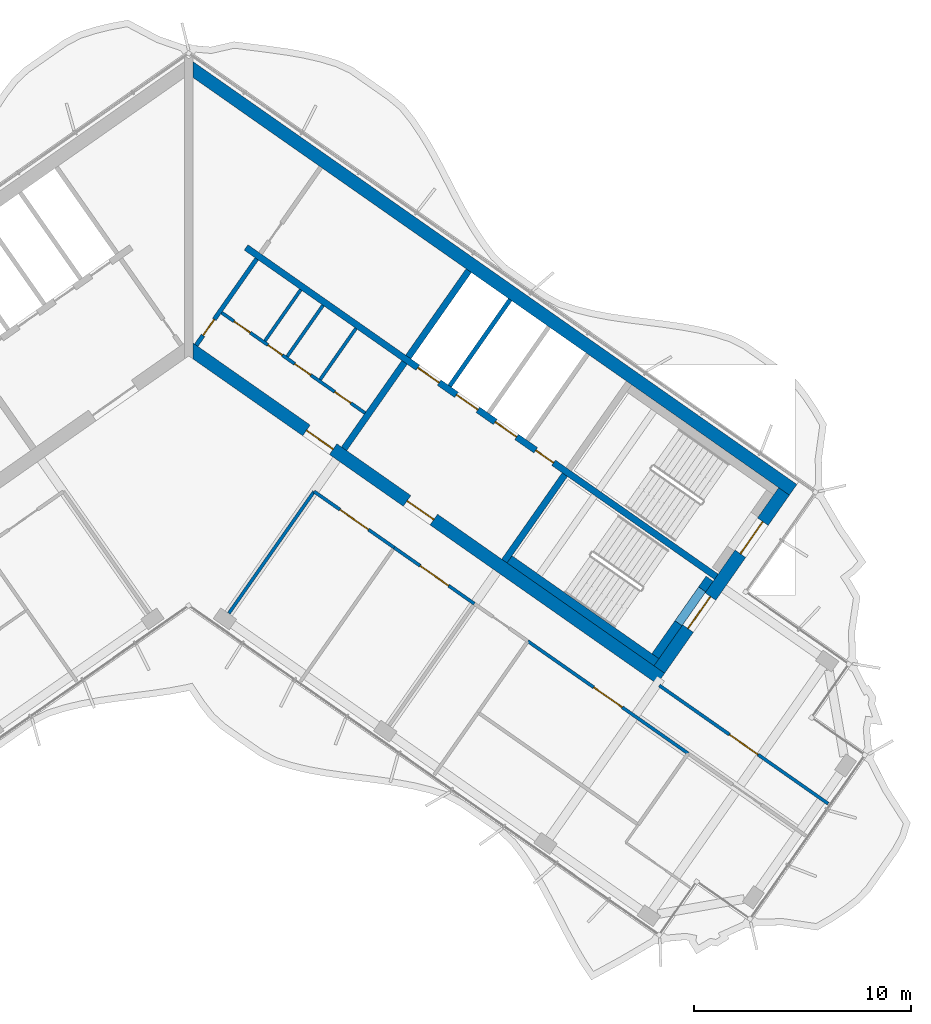
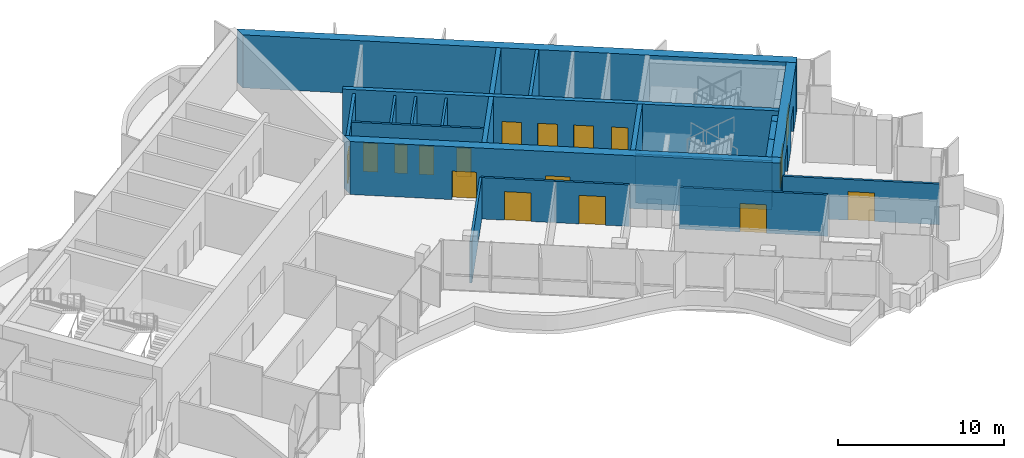
# One storey, part 11 of 18: 22 walls, 17 doors, 17 openings.
"""IFC4 building model written with IfcOpenShell, lengths in metres."""

from ifc_helpers import new_model, si_unit, direction, frame, frame_2d, origin, place, context, subcontext, project, spatial, polyline, rectangle, outline, extrude, material, layer, layer_set, type_object, element, fill, save


model = new_model("IFC4")

# Units and contexts
model_context = context("Model", 3, precision=1e-05, world=origin(), true_north=direction((0.0, 1.0)))
body_context = subcontext(model_context, "Body", "Model", "MODEL_VIEW")
ifc_project = project(units=[si_unit("LENGTHUNIT", "METRE"), si_unit("AREAUNIT", "SQUARE_METRE"), si_unit("VOLUMEUNIT", "CUBIC_METRE"), si_unit("PLANEANGLEUNIT", "RADIAN"), si_unit("MASSUNIT", "GRAM", prefix="KILO")], contexts=[model_context])

# Site, building, storey
site_placement = place(None, origin())
site = spatial("IfcSite", under=ifc_project, at=site_placement, CompositionType="ELEMENT")
building_placement = place(site_placement, origin())
building = spatial("IfcBuilding", under=site, at=building_placement, Name="Tel Ilan Convention Tower", CompositionType="ELEMENT")
storey_placement = place(building_placement, frame((0.0, 0.0, 264.39990234375)))
storey = spatial("IfcBuildingStorey", under=building, at=storey_placement, Name="L62", CompositionType="ELEMENT", Elevation=264.39990234375)

# Wall, openings, doors
ifc_material_1 = material(Name="Gypsum Plasterboard on Steel Stud", Category="steel")
ifc_layer_1 = layer(ifc_material_1, 0.14990234375)
ifc_layer_set_1 = layer_set([ifc_layer_1], Name="Core Room Partition Wall 150 mm EI 60")
wall_type_1 = type_object("IfcWallType", Name="Core Room Partition Wall 150 mm EI 60", PredefinedType="PARTITIONING", material=ifc_layer_set_1)
wall_1_placement = place(storey_placement, frame((1.515625, 0.77001953125, 0.0), z_axis=(0.0, 0.0, 1.0), x_axis=(0.819146424436, -0.573584462249, 0.0)))
wall_1 = element("IfcWall", 1, at=wall_1_placement, inside=storey, type_object=wall_type_1, Name="L62 core wall wc-h1", PredefinedType="PARTITIONING", context=body_context, shape_type="SweptSolid", body=[
    extrude(rectangle(XDim=8.050048828125, YDim=0.14990234375, at=frame_2d((4.02490234375, 0.0))), origin(), (0.0, 0.0, 1.0), 3.6201171875),
])
opening_1_placement = place(wall_1_placement, frame((0.699951171875, 0.0, 0.0)))
opening_1 = element("IfcOpeningElement", 2, at=opening_1_placement, cuts=wall_1, Name="Opening CD4713", PredefinedType="OPENING", context=body_context, shape_type="SweptSolid", body=[
    extrude(rectangle(XDim=0.89990234375, YDim=2.10009765625, at=frame_2d((0.449951171875, 1.050048828125))), frame((0.0, 0.0849609375, 0.0), z_axis=(0.0, -1.0, 0.0), x_axis=(1.0, 0.0, 0.0)), (0.0, 0.0, 1.0), 0.169921875),
])
opening_2_placement = place(wall_1_placement, frame((2.60009765625, 0.0, 0.0)))
opening_2 = element("IfcOpeningElement", 3, at=opening_2_placement, cuts=wall_1, Name="Opening CD4712", PredefinedType="OPENING", context=body_context, shape_type="SweptSolid", body=[
    extrude(rectangle(XDim=0.800048828125, YDim=2.10009765625, at=frame_2d((0.39990234375, 1.050048828125))), frame((0.0, 0.0849609375, 0.0), z_axis=(0.0, -1.0, 0.0), x_axis=(1.0, 0.0, 0.0)), (0.0, 0.0, 1.0), 0.169921875),
])
opening_3_placement = place(wall_1_placement, frame((4.10009765625, 0.0, 0.0)))
opening_3 = element("IfcOpeningElement", 4, at=opening_3_placement, cuts=wall_1, Name="Opening CD4711", PredefinedType="OPENING", context=body_context, shape_type="SweptSolid", body=[
    extrude(rectangle(XDim=0.89990234375, YDim=2.10009765625, at=frame_2d((0.449951171875, 1.050048828125))), frame((0.0, 0.0849609375, 0.0), z_axis=(0.0, -1.0, 0.0), x_axis=(1.0, 0.0, 0.0)), (0.0, 0.0, 1.0), 0.169921875),
])
opening_4_placement = place(wall_1_placement, frame((6.35009765625, 0.0, 0.0)))
opening_4 = element("IfcOpeningElement", 5, at=opening_4_placement, cuts=wall_1, Name="Opening CD4714", PredefinedType="OPENING", context=body_context, shape_type="SweptSolid", body=[
    extrude(rectangle(XDim=0.89990234375, YDim=2.10009765625, at=frame_2d((0.449951171875, 1.050048828125))), frame((0.0, 0.0849609375, 0.0), z_axis=(0.0, -1.0, 0.0), x_axis=(1.0, 0.0, 0.0)), (0.0, 0.0, 1.0), 0.169921875),
])
ifc_material_2 = material(Name="Galvanised Steel Door Leaf", Category="steel")
door_type_1 = type_object("IfcDoorType", Name="Store Door 800 x 2100 FD60", OperationType="NOTDEFINED", PredefinedType="DOOR", material=ifc_material_2)
door_1_placement = place(opening_2_placement, origin())
door_1 = element("IfcDoor", 6, at=door_1_placement, inside=storey, type_object=door_type_1, Name="Cleaner's store door", OperationType="SINGLE_SWING_RIGHT", OverallHeight=2.10009765625, OverallWidth=0.800048828125, PredefinedType="DOOR", context=body_context, shape_type="SweptSolid", body=[
    extrude(rectangle(XDim=0.800048828125, YDim=2.10009765625, at=frame_2d((0.39990234375, 1.050048828125))), frame((0.0, 0.02490234375, 0.0), z_axis=(0.0, -1.0, 0.0), x_axis=(1.0, 0.0, 0.0)), (0.0, 0.0, 1.0), 0.050048828125),
])
fill(opening_2, door_1)
ifc_material_3 = material(Name="Laminated Timber Door Leaf", Category="wood")
door_type_2 = type_object("IfcDoorType", Name="Toilet Door 900 x 2100 FD30S", OperationType="NOTDEFINED", PredefinedType="DOOR", material=ifc_material_3)
door_2_placement = place(opening_1_placement, origin())
door_2 = element("IfcDoor", 7, at=door_2_placement, inside=storey, type_object=door_type_2, Name="Men's WC door", OperationType="SINGLE_SWING_RIGHT", OverallHeight=2.10009765625, OverallWidth=0.89990234375, PredefinedType="DOOR", context=body_context, shape_type="SweptSolid", body=[
    extrude(rectangle(XDim=0.89990234375, YDim=2.10009765625, at=frame_2d((0.449951171875, 1.050048828125))), frame((0.0, 0.02490234375, 0.0), z_axis=(0.0, -1.0, 0.0), x_axis=(1.0, 0.0, 0.0)), (0.0, 0.0, 1.0), 0.050048828125),
])
fill(opening_1, door_2)
door_3_placement = place(opening_3_placement, origin())
door_3 = element("IfcDoor", 8, at=door_3_placement, inside=storey, type_object=door_type_2, Name="Accessible WC door", OperationType="SINGLE_SWING_RIGHT", OverallHeight=2.10009765625, OverallWidth=0.89990234375, PredefinedType="DOOR", context=body_context, shape_type="SweptSolid", body=[
    extrude(rectangle(XDim=0.89990234375, YDim=2.10009765625, at=frame_2d((0.449951171875, 1.050048828125))), frame((0.0, 0.02490234375, 0.0), z_axis=(0.0, -1.0, 0.0), x_axis=(1.0, 0.0, 0.0)), (0.0, 0.0, 1.0), 0.050048828125),
])
fill(opening_3, door_3)
door_4_placement = place(opening_4_placement, origin())
door_4 = element("IfcDoor", 9, at=door_4_placement, inside=storey, type_object=door_type_2, Name="Women's WC door", OperationType="SINGLE_SWING_RIGHT", OverallHeight=2.10009765625, OverallWidth=0.89990234375, PredefinedType="DOOR", context=body_context, shape_type="SweptSolid", body=[
    extrude(rectangle(XDim=0.89990234375, YDim=2.10009765625, at=frame_2d((0.449951171875, 1.050048828125))), frame((0.0, 0.02490234375, 0.0), z_axis=(0.0, -1.0, 0.0), x_axis=(1.0, 0.0, 0.0)), (0.0, 0.0, 1.0), 0.050048828125),
])
fill(opening_4, door_4)

# Walls
wall_2_placement = place(storey_placement, frame((3.504150390625, -0.531005859375, 0.0), z_axis=(0.0, 0.0, 1.0), x_axis=(0.573582013179, 0.819148139324, 0.0)))
element("IfcWall", 10, at=wall_2_placement, inside=storey, type_object=wall_type_1, Name="L62 core wall wc-v0", PredefinedType="PARTITIONING", context=body_context, shape_type="SweptSolid", body=[
    extrude(rectangle(XDim=2.875244140625, YDim=0.14990234375, at=frame_2d((1.4375, 0.0))), origin(), (0.0, 0.0, 1.0), 3.6201171875),
])
wall_3_placement = place(storey_placement, frame((4.528076171875, -1.247802734375, 0.0), z_axis=(0.0, 0.0, 1.0), x_axis=(0.573621911162, 0.819120200602, 0.0)))
element("IfcWall", 11, at=wall_3_placement, inside=storey, type_object=wall_type_1, Name="L62 core wall wc-v1", PredefinedType="PARTITIONING", context=body_context, shape_type="SweptSolid", body=[
    extrude(rectangle(XDim=2.875, YDim=0.14990234375, at=frame_2d((1.4375, 0.0))), origin(), (0.0, 0.0, 1.0), 3.6201171875),
])
wall_4_placement = place(storey_placement, frame((6.043701171875, -2.30908203125, 0.0), z_axis=(0.0, 0.0, 1.0), x_axis=(0.573564930514, 0.819160100642, 0.0)))
element("IfcWall", 12, at=wall_4_placement, inside=storey, type_object=wall_type_1, Name="L62 core wall wc-v2", PredefinedType="PARTITIONING", context=body_context, shape_type="SweptSolid", body=[
    extrude(rectangle(XDim=2.874755859375, YDim=0.14990234375, at=frame_2d((1.4375, 0.0))), origin(), (0.0, 0.0, 1.0), 3.6201171875),
])

# Wall, opening, door
ifc_material_4 = material(Name="Concrete C30/37", Category="concrete")
ifc_layer_2 = layer(ifc_material_4, 0.199951171875)
ifc_layer_set_2 = layer_set([ifc_layer_2], Name="Core Service Room Wall 200 mm C30/37")
wall_type_2 = type_object("IfcWallType", Name="Core Service Room Wall 200 mm C30/37", PredefinedType="SOLIDWALL", material=ifc_layer_set_2)
wall_5_placement = place(storey_placement, frame((0.343994140625, -0.729248046875, 0.0), z_axis=(0.0, 0.0, 1.0), x_axis=(0.573560315113, 0.819163332265, 0.0)))
wall_5 = element("IfcWall", 13, at=wall_5_placement, inside=storey, type_object=wall_type_2, Name="L62 core wall apex-E", PredefinedType="SOLIDWALL", context=body_context, shape_type="SweptSolid", body=[
    extrude(rectangle(XDim=4.849853515625, YDim=0.199951171875, at=frame_2d((2.4248046875, 0.0))), origin(), (0.0, 0.0, 1.0), 3.6201171875),
])
opening_5_placement = place(wall_5_placement, frame((0.550048828125, 0.0, 0.0)))
opening_5 = element("IfcOpeningElement", 14, at=opening_5_placement, cuts=wall_5, Name="Opening CD4701", PredefinedType="OPENING", context=body_context, shape_type="SweptSolid", body=[
    extrude(rectangle(XDim=0.89990234375, YDim=2.10009765625, at=frame_2d((0.449951171875, 1.050048828125))), frame((0.0, 0.10986328125, 0.0), z_axis=(0.0, -1.0, 0.0), x_axis=(1.0, 0.0, 0.0)), (0.0, 0.0, 1.0), 0.219970703125),
])
ifc_material_5 = material(Name="Galvanised Steel Door Leaf", Category="steel")
door_type_3 = type_object("IfcDoorType", Name="Service Room Door 900 x 2100 FD60", OperationType="NOTDEFINED", PredefinedType="DOOR", material=ifc_material_5)
door_5_placement = place(opening_5_placement, origin())
door_5 = element("IfcDoor", 15, at=door_5_placement, inside=storey, type_object=door_type_3, Name="Electrical Room door", OperationType="SINGLE_SWING_RIGHT", OverallHeight=2.10009765625, OverallWidth=0.89990234375, PredefinedType="DOOR", context=body_context, shape_type="SweptSolid", body=[
    extrude(rectangle(XDim=0.89990234375, YDim=2.10009765625, at=frame_2d((0.449951171875, 1.050048828125))), frame((0.0, 0.02490234375, 0.0), z_axis=(0.0, -1.0, 0.0), x_axis=(1.0, 0.0, 0.0)), (0.0, 0.0, 1.0), 0.050048828125),
])
fill(opening_5, door_5)

# Walls
ifc_material_6 = material(Name="Concrete C40/50", Category="concrete")
ifc_layer_3 = layer(ifc_material_6, 0.300048828125)
ifc_layer_set_3 = layer_set([ifc_layer_3], Name="Core Shear Wall 300 mm C40/50")
wall_type_3 = type_object("IfcWallType", Name="Core Shear Wall 300 mm C40/50", PredefinedType="SHEAR", material=ifc_layer_set_3)
wall_6_placement = place(storey_placement, frame((7.142822265625, -5.48974609375, 0.0), z_axis=(0.0, 0.0, 1.0), x_axis=(0.573617744349, 0.819123118565, 0.0)))
element("IfcWall", 16, at=wall_6_placement, inside=storey, type_object=wall_type_3, Name="L62 core wall E-cross1-1", PredefinedType="SHEAR", context=body_context, shape_type="SweptSolid", body=[
    extrude(outline(polyline([(0.0, 0.14990234375), (0.0, -0.150146484375), (4.85009765625, -0.14990234375), (4.85009765625, 0.150146484375), (0.0, 0.14990234375)])), origin(), (0.0, 0.0, 1.0), 3.900146484375),
])
wall_7_placement = place(storey_placement, frame((10.096923828125, -1.271240234375, 0.0), z_axis=(0.0, 0.0, 1.0), x_axis=(0.573560315113, 0.819163332265, 0.0)))
element("IfcWall", 17, at=wall_7_placement, inside=storey, type_object=wall_type_3, Name="L62 core wall E-cross1-2", PredefinedType="SHEAR", context=body_context, shape_type="SweptSolid", body=[
    extrude(outline(polyline([(4.849853515625, -0.150146484375), (4.849853515625, 0.14990234375), (0.0, 0.150146484375), (0.0, -0.14990234375), (4.849853515625, -0.150146484375)])), origin(), (0.0, 0.0, 1.0), 3.900146484375),
])
wall_8_placement = place(storey_placement, frame((14.515380859375, -10.652099609375, 0.0), z_axis=(0.0, 0.0, 1.0), x_axis=(0.573560315113, 0.819163332265, 0.0)))
element("IfcWall", 18, at=wall_8_placement, inside=storey, type_object=wall_type_3, Name="L62 core wall E-cross2-1", PredefinedType="SHEAR", context=body_context, shape_type="SweptSolid", body=[
    extrude(outline(polyline([(0.0, 0.150146484375), (0.0, -0.14990234375), (4.85009765625, -0.14990234375), (4.85009765625, 0.14990234375), (0.0, 0.150146484375)])), origin(), (0.0, 0.0, 1.0), 3.900146484375),
])

# Wall, openings, doors
wall_9_placement = place(storey_placement, frame((2.638427734375, 3.76806640625, 0.0), z_axis=(0.0, 0.0, 1.0), x_axis=(0.819155014212, -0.573572194837, 0.0)))
wall_9 = element("IfcWall", 19, at=wall_9_placement, inside=storey, type_object=wall_type_3, Name="L62 core wall E-spine", PredefinedType="SHEAR", context=body_context, shape_type="SweptSolid", body=[
    extrude(outline(polyline([(0.0, 0.150146484375), (0.0, -0.14990234375), (26.39990234375, -0.150146484375), (26.39990234375, 0.14990234375), (0.0, 0.150146484375)])), origin(), (0.0, 0.0, 1.0), 3.900146484375),
])
opening_6_placement = place(wall_9_placement, frame((9.637451171875, 0.0, 0.0)))
opening_6 = element("IfcOpeningElement", 20, at=opening_6_placement, cuts=wall_9, Name="Opening LD4701", PredefinedType="OPENING", context=body_context, shape_type="SweptSolid", body=[
    extrude(rectangle(XDim=1.199951171875, YDim=2.10009765625, at=frame_2d((0.60009765625, 1.050048828125))), frame((0.0, 0.159912109375, 0.0), z_axis=(0.0, -1.0, 0.0), x_axis=(1.0, 0.0, 0.0)), (0.0, 0.0, 1.0), 0.320068359375),
])
opening_7_placement = place(wall_9_placement, frame((11.8125, 0.0, 0.0)))
opening_7 = element("IfcOpeningElement", 21, at=opening_7_placement, cuts=wall_9, Name="Opening LD4702", PredefinedType="OPENING", context=body_context, shape_type="SweptSolid", body=[
    extrude(rectangle(XDim=1.199951171875, YDim=2.10009765625, at=frame_2d((0.60009765625, 1.050048828125))), frame((0.0, 0.159912109375, 0.0), z_axis=(0.0, -1.0, 0.0), x_axis=(1.0, 0.0, 0.0)), (0.0, 0.0, 1.0), 0.320068359375),
])
opening_8_placement = place(wall_9_placement, frame((13.987548828125, 0.0, 0.0)))
opening_8 = element("IfcOpeningElement", 22, at=opening_8_placement, cuts=wall_9, Name="Opening LD4703", PredefinedType="OPENING", context=body_context, shape_type="SweptSolid", body=[
    extrude(rectangle(XDim=1.199951171875, YDim=2.10009765625, at=frame_2d((0.60009765625, 1.050048828125))), frame((0.0, 0.159912109375, 0.0), z_axis=(0.0, -1.0, 0.0), x_axis=(1.0, 0.0, 0.0)), (0.0, 0.0, 1.0), 0.320068359375),
])
opening_9_placement = place(wall_9_placement, frame((16.262451171875, 0.0, 0.0)))
opening_9 = element("IfcOpeningElement", 23, at=opening_9_placement, cuts=wall_9, Name="Opening CD4708", PredefinedType="OPENING", context=body_context, shape_type="SweptSolid", body=[
    extrude(rectangle(XDim=1.0, YDim=2.10009765625, at=frame_2d((0.5, 1.050048828125))), frame((0.0, 0.159912109375, 0.0), z_axis=(0.0, -1.0, 0.0), x_axis=(1.0, 0.0, 0.0)), (0.0, 0.0, 1.0), 0.320068359375),
])
ifc_material_7 = material(Name="Stainless Steel Sliding Door Leaf", Category="steel")
door_type_4 = type_object("IfcDoorType", Name="Lift Landing Door 1200 x 2100 FD120", OperationType="NOTDEFINED", PredefinedType="DOOR", material=ifc_material_7)
door_6_placement = place(opening_6_placement, origin())
door_6 = element("IfcDoor", 24, at=door_6_placement, inside=storey, type_object=door_type_4, Name="Lift FL1 landing door", OperationType="SLIDING_TO_LEFT", OverallHeight=2.10009765625, OverallWidth=1.199951171875, PredefinedType="DOOR", context=body_context, shape_type="SweptSolid", body=[
    extrude(rectangle(XDim=1.199951171875, YDim=2.10009765625, at=frame_2d((0.60009765625, 1.050048828125))), frame((0.0, 0.02490234375, 0.0), z_axis=(0.0, -1.0, 0.0), x_axis=(1.0, 0.0, 0.0)), (0.0, 0.0, 1.0), 0.050048828125),
])
fill(opening_6, door_6)
door_7_placement = place(opening_7_placement, origin())
door_7 = element("IfcDoor", 25, at=door_7_placement, inside=storey, type_object=door_type_4, Name="Lift FL2 landing door", OperationType="SLIDING_TO_RIGHT", OverallHeight=2.10009765625, OverallWidth=1.199951171875, PredefinedType="DOOR", context=body_context, shape_type="SweptSolid", body=[
    extrude(rectangle(XDim=1.199951171875, YDim=2.10009765625, at=frame_2d((0.60009765625, 1.050048828125))), frame((0.0, 0.02490234375, 0.0), z_axis=(0.0, -1.0, 0.0), x_axis=(1.0, 0.0, 0.0)), (0.0, 0.0, 1.0), 0.050048828125),
])
fill(opening_7, door_7)
door_8_placement = place(opening_8_placement, origin())
door_8 = element("IfcDoor", 26, at=door_8_placement, inside=storey, type_object=door_type_4, Name="Lift FL3 landing door", OperationType="SLIDING_TO_LEFT", OverallHeight=2.10009765625, OverallWidth=1.199951171875, PredefinedType="DOOR", context=body_context, shape_type="SweptSolid", body=[
    extrude(rectangle(XDim=1.199951171875, YDim=2.10009765625, at=frame_2d((0.60009765625, 1.050048828125))), frame((0.0, 0.02490234375, 0.0), z_axis=(0.0, -1.0, 0.0), x_axis=(1.0, 0.0, 0.0)), (0.0, 0.0, 1.0), 0.050048828125),
])
fill(opening_8, door_8)
ifc_material_8 = material(Name="Galvanised Steel Door Leaf", Category="steel")
door_type_5 = type_object("IfcDoorType", Name="Service Room Door 1000 x 2100 FD60", OperationType="NOTDEFINED", PredefinedType="DOOR", material=ifc_material_8)
door_9_placement = place(opening_9_placement, origin())
door_9 = element("IfcDoor", 27, at=door_9_placement, inside=storey, type_object=door_type_5, Name="Plant Room door", OperationType="SINGLE_SWING_RIGHT", OverallHeight=2.10009765625, OverallWidth=1.0, PredefinedType="DOOR", context=body_context, shape_type="SweptSolid", body=[
    extrude(rectangle(XDim=1.0, YDim=2.10009765625, at=frame_2d((0.5, 1.050048828125))), frame((0.0, 0.02490234375, 0.0), z_axis=(0.0, -1.0, 0.0), x_axis=(1.0, 0.0, 0.0)), (0.0, 0.0, 1.0), 0.050048828125),
])
fill(opening_9, door_9)

# Wall
ifc_material_9 = material(Name="Concrete C40/50", Category="concrete")
ifc_layer_4 = layer(ifc_material_9, 0.60009765625)
ifc_layer_set_4 = layer_set([ifc_layer_4], Name="Core Shear Wall 600 mm C40/50")
wall_type_4 = type_object("IfcWallType", Name="Core Shear Wall 600 mm C40/50", PredefinedType="SHEAR", material=ifc_layer_set_4)
wall_10_placement = place(storey_placement, frame((0.02783203125, 12.066162109375, 0.0), z_axis=(0.0, 0.0, 1.0), x_axis=(0.819151382952, -0.573577380837, 0.0)))
element("IfcWall", 28, at=wall_10_placement, inside=storey, type_object=wall_type_4, Name="L62 core wall E-back", PredefinedType="SHEAR", context=body_context, shape_type="SweptSolid", body=[
    extrude(outline(polyline([(33.898193359375, 0.300048828125), (0.0, 0.300048828125), (0.420166015625, -0.300048828125), (33.89794921875, -0.300048828125), (33.898193359375, 0.300048828125)])), origin(), (0.0, 0.0, 1.0), 3.900146484375),
])

# Wall, openings, doors
wall_11_placement = place(storey_placement, frame((0.02783203125, -0.8740234375, 0.0), z_axis=(0.0, 0.0, 1.0), x_axis=(0.819150035022, -0.573579305871, 0.0)))
wall_11 = element("IfcWall", 29, at=wall_11_placement, inside=storey, type_object=wall_type_4, Name="L62 core wall E-front", PredefinedType="SHEAR", context=body_context, shape_type="SweptSolid", body=[
    extrude(outline(polyline([(26.475830078125, 0.300048828125), (0.000244140625, 0.300048828125), (0.420166015625, -0.300048828125), (26.475830078125, -0.2998046875), (26.475830078125, 0.300048828125)])), origin(), (0.0, 0.0, 1.0), 3.900146484375),
])
opening_10_placement = place(wall_11_placement, frame((6.57568359375, 0.0, 0.0)))
opening_10 = element("IfcOpeningElement", 30, at=opening_10_placement, cuts=wall_11, Name="Opening CD4704", PredefinedType="OPENING", context=body_context, shape_type="SweptSolid", body=[
    extrude(rectangle(XDim=1.5, YDim=2.10009765625, at=frame_2d((0.75, 1.050048828125))), frame((0.0, 0.31005859375, 0.0), z_axis=(0.0, -1.0, 0.0), x_axis=(1.0, 0.0, 0.0)), (0.0, 0.0, 1.0), 0.6201171875),
])
opening_11_placement = place(wall_11_placement, frame((12.225830078125, 0.0, 0.0)))
opening_11 = element("IfcOpeningElement", 31, at=opening_11_placement, cuts=wall_11, Name="Opening CD4705", PredefinedType="OPENING", context=body_context, shape_type="SweptSolid", body=[
    extrude(rectangle(XDim=1.5, YDim=2.10009765625, at=frame_2d((0.75, 1.050048828125))), frame((0.0, 0.31005859375, 0.0), z_axis=(0.0, -1.0, 0.0), x_axis=(1.0, 0.0, 0.0)), (0.0, 0.0, 1.0), 0.6201171875),
])
ifc_material_10 = material(Name="Glazed Aluminium Door Leaf", Category="aluminium")
door_type_6 = type_object("IfcDoorType", Name="Lobby Opening Door 1500 x 2100 FD60S", OperationType="NOTDEFINED", PredefinedType="DOOR", material=ifc_material_10)
door_10_placement = place(opening_11_placement, origin())
door_10 = element("IfcDoor", 32, at=door_10_placement, inside=storey, type_object=door_type_6, Name="Firefighting Lobby door", OperationType="DOUBLE_DOOR_SINGLE_SWING", OverallHeight=2.10009765625, OverallWidth=1.5, PredefinedType="DOOR", context=body_context, shape_type="SweptSolid", body=[
    extrude(rectangle(XDim=1.5, YDim=2.10009765625, at=frame_2d((0.75, 1.050048828125))), frame((0.0, 0.02490234375, 0.0), z_axis=(0.0, -1.0, 0.0), x_axis=(1.0, 0.0, 0.0)), (0.0, 0.0, 1.0), 0.050048828125),
])
fill(opening_11, door_10)
ifc_material_11 = material(Name="Laminated Timber Door Leaf", Category="wood")
door_type_7 = type_object("IfcDoorType", Name="Toilet Door 1500 x 2100 FD30S", OperationType="NOTDEFINED", PredefinedType="DOOR", material=ifc_material_11)
door_11_placement = place(opening_10_placement, origin())
door_11 = element("IfcDoor", 33, at=door_11_placement, inside=storey, type_object=door_type_7, Name="WC Lobby door", OperationType="SINGLE_SWING_RIGHT", OverallHeight=2.10009765625, OverallWidth=1.5, PredefinedType="DOOR", context=body_context, shape_type="SweptSolid", body=[
    extrude(rectangle(XDim=1.5, YDim=2.10009765625, at=frame_2d((0.75, 1.050048828125))), frame((0.0, 0.02490234375, 0.0), z_axis=(0.0, -1.0, 0.0), x_axis=(1.0, 0.0, 0.0)), (0.0, 0.0, 1.0), 0.050048828125),
])
fill(opening_10, door_11)

wall_12_placement = place(storey_placement, frame((21.641845703125, -15.64208984375, 0.0), z_axis=(0.0, 0.0, 1.0), x_axis=(0.573586866468, 0.819144740944, 0.0)))
wall_12 = element("IfcWall", 34, at=wall_12_placement, inside=storey, type_object=wall_type_4, Name="L62 core wall E-end", PredefinedType="SHEAR", context=body_context, shape_type="SweptSolid", body=[
    extrude(outline(polyline([(10.0, 0.300048828125), (0.0, 0.2998046875), (0.0, -0.300048828125), (10.0, -0.300048828125), (10.0, 0.300048828125)])), origin(), (0.0, 0.0, 1.0), 3.900146484375),
])
opening_12_placement = place(wall_12_placement, frame((6.5, 0.0, 0.0)))
opening_12 = element("IfcOpeningElement", 35, at=opening_12_placement, cuts=wall_12, Name="Opening SD4703", PredefinedType="OPENING", context=body_context, shape_type="SweptSolid", body=[
    extrude(rectangle(XDim=1.800048828125, YDim=2.10009765625, at=frame_2d((0.89990234375, 1.050048828125))), frame((0.0, 0.31005859375, 0.0), z_axis=(0.0, -1.0, 0.0), x_axis=(1.0, 0.0, 0.0)), (0.0, 0.0, 1.0), 0.6201171875),
])
opening_13_placement = place(wall_12_placement, frame((2.300048828125, 0.0, 0.0)))
opening_13 = element("IfcOpeningElement", 36, at=opening_13_placement, cuts=wall_12, Name="Opening SD4704", PredefinedType="OPENING", context=body_context, shape_type="SweptSolid", body=[
    extrude(rectangle(XDim=1.800048828125, YDim=2.10009765625, at=frame_2d((0.89990234375, 1.050048828125))), frame((0.0, 0.31005859375, 0.0), z_axis=(0.0, -1.0, 0.0), x_axis=(1.0, 0.0, 0.0)), (0.0, 0.0, 1.0), 0.6201171875),
])
ifc_material_12 = material(Name="Galvanised Steel Door Leaf", Category="steel")
door_type_8 = type_object("IfcDoorType", Name="Stair Fire Door 1800 x 2100 FD60S", OperationType="NOTDEFINED", PredefinedType="DOOR", material=ifc_material_12)
door_12_placement = place(opening_12_placement, origin())
door_12 = element("IfcDoor", 37, at=door_12_placement, inside=storey, type_object=door_type_8, Name="Stair S3 door", OperationType="DOUBLE_DOOR_SINGLE_SWING", OverallHeight=2.10009765625, OverallWidth=1.800048828125, PredefinedType="DOOR", context=body_context, shape_type="SweptSolid", body=[
    extrude(rectangle(XDim=1.800048828125, YDim=2.10009765625, at=frame_2d((0.89990234375, 1.050048828125))), frame((0.0, 0.02490234375, 0.0), z_axis=(0.0, -1.0, 0.0), x_axis=(1.0, 0.0, 0.0)), (0.0, 0.0, 1.0), 0.050048828125),
])
fill(opening_12, door_12)
door_13_placement = place(opening_13_placement, origin())
door_13 = element("IfcDoor", 38, at=door_13_placement, inside=storey, type_object=door_type_8, Name="Stair S4 door", OperationType="DOUBLE_DOOR_SINGLE_SWING", OverallHeight=2.10009765625, OverallWidth=1.800048828125, PredefinedType="DOOR", context=body_context, shape_type="SweptSolid", body=[
    extrude(rectangle(XDim=1.800048828125, YDim=2.10009765625, at=frame_2d((0.89990234375, 1.050048828125))), frame((0.0, 0.02490234375, 0.0), z_axis=(0.0, -1.0, 0.0), x_axis=(1.0, 0.0, 0.0)), (0.0, 0.0, 1.0), 0.050048828125),
])
fill(opening_13, door_13)

# Wall, opening, door
ifc_material_13 = material(Name="Plasterboard on Steel Studs", Category="steel")
ifc_layer_5 = layer(ifc_material_13, 0.14990234375)
ifc_layer_set_5 = layer_set([ifc_layer_5], Name="Fire-rated Partition 150 EI 60")
wall_type_5 = type_object("IfcWallType", Name="Fire-rated Partition 150 EI 60", PredefinedType="PARTITIONING", material=ifc_layer_set_5)
wall_13_placement = place(storey_placement, frame((21.641845703125, -16.37451171875, 0.0), z_axis=(0.0, 0.0, 1.0), x_axis=(0.819154480923, -0.573572956461, 0.0)))
wall_13 = element("IfcWall", 39, at=wall_13_placement, inside=storey, type_object=wall_type_5, Name="Partition 001", PredefinedType="PARTITIONING", context=body_context, shape_type="SweptSolid", body=[
    extrude(rectangle(XDim=9.47998046875, YDim=0.14990234375, at=frame_2d((4.739990234375, 0.0))), origin(), (0.0, 0.0, 1.0), 3.0),
])
opening_14_placement = place(wall_13_placement, frame((3.93994140625, 0.0, 0.0)))
opening_14 = element("IfcOpeningElement", 40, at=opening_14_placement, cuts=wall_13, Name="Opening L62-016", PredefinedType="OPENING", context=body_context, shape_type="SweptSolid", body=[
    extrude(rectangle(XDim=1.60009765625, YDim=2.10009765625, at=frame_2d((0.800048828125, 1.050048828125))), frame((0.0, 0.0849609375, 0.0), z_axis=(0.0, -1.0, 0.0), x_axis=(1.0, 0.0, 0.0)), (0.0, 0.0, 1.0), 0.169921875),
])
ifc_material_14 = material(Name="Timber Door Leaf in Steel Frame", Category="steel")
door_type_9 = type_object("IfcDoorType", Name="Tenant Suite Entrance Fire Door 1600x2100", OperationType="NOTDEFINED", PredefinedType="DOOR", material=ifc_material_14)
door_14_placement = place(opening_14_placement, origin())
door_14 = element("IfcDoor", 41, at=door_14_placement, inside=storey, type_object=door_type_9, Name="Door L62-016", OperationType="DOUBLE_DOOR_SINGLE_SWING", OverallHeight=2.10009765625, OverallWidth=1.60009765625, PredefinedType="DOOR", context=body_context, shape_type="SweptSolid", body=[
    extrude(rectangle(XDim=1.60009765625, YDim=2.10009765625, at=frame_2d((0.800048828125, 1.050048828125))), frame((0.0, 0.02490234375, 0.0), z_axis=(0.0, -1.0, 0.0), x_axis=(1.0, 0.0, 0.0)), (0.0, 0.0, 1.0), 0.050048828125),
])
fill(opening_14, door_14)

wall_14_placement = place(storey_placement, frame((9.4541015625, -10.0380859375, 0.0), z_axis=(0.0, 0.0, 1.0), x_axis=(-0.819142740634, 0.573589723117, 0.0)))
wall_14 = element("IfcWall", 42, at=wall_14_placement, inside=storey, type_object=wall_type_5, Name="Partition 002", PredefinedType="PARTITIONING", context=body_context, shape_type="SweptSolid", body=[
    extrude(rectangle(XDim=4.501953125, YDim=0.14990234375, at=frame_2d((2.2509765625, 0.0))), origin(), (0.0, 0.0, 1.0), 3.050048828125),
])
opening_15_placement = place(wall_14_placement, frame((1.450927734375, 0.0, 0.0)))
opening_15 = element("IfcOpeningElement", 43, at=opening_15_placement, cuts=wall_14, Name="Opening L62-010", PredefinedType="OPENING", context=body_context, shape_type="SweptSolid", body=[
    extrude(rectangle(XDim=1.60009765625, YDim=2.10009765625, at=frame_2d((0.800048828125, 1.050048828125))), frame((0.0, 0.0849609375, 0.0), z_axis=(0.0, -1.0, 0.0), x_axis=(1.0, 0.0, 0.0)), (0.0, 0.0, 1.0), 0.169921875),
])
door_15_placement = place(opening_15_placement, origin())
door_15 = element("IfcDoor", 44, at=door_15_placement, inside=storey, type_object=door_type_9, Name="Door L62-010", OperationType="DOUBLE_DOOR_SINGLE_SWING", OverallHeight=2.10009765625, OverallWidth=1.60009765625, PredefinedType="DOOR", context=body_context, shape_type="SweptSolid", body=[
    extrude(rectangle(XDim=1.60009765625, YDim=2.10009765625, at=frame_2d((0.800048828125, 1.050048828125))), frame((0.0, 0.02490234375, 0.0), z_axis=(0.0, -1.0, 0.0), x_axis=(1.0, 0.0, 0.0)), (0.0, 0.0, 1.0), 0.050048828125),
])
fill(opening_15, door_15)

wall_15_placement = place(storey_placement, frame((13.140380859375, -12.619140625, 0.0), z_axis=(0.0, 0.0, 1.0), x_axis=(-0.819165703328, 0.573556928727, 0.0)))
wall_15 = element("IfcWall", 45, at=wall_15_placement, inside=storey, type_object=wall_type_5, Name="Partition 003", PredefinedType="PARTITIONING", context=body_context, shape_type="SweptSolid", body=[
    extrude(rectangle(XDim=4.50390625, YDim=0.14990234375, at=frame_2d((2.251953125, 0.0))), origin(), (0.0, 0.0, 1.0), 3.050048828125),
])
opening_16_placement = place(wall_15_placement, frame((1.451904296875, 0.0, 0.0)))
opening_16 = element("IfcOpeningElement", 46, at=opening_16_placement, cuts=wall_15, Name="Opening L62-011", PredefinedType="OPENING", context=body_context, shape_type="SweptSolid", body=[
    extrude(rectangle(XDim=1.60009765625, YDim=2.10009765625, at=frame_2d((0.800048828125, 1.050048828125))), frame((0.0, 0.0849609375, 0.0), z_axis=(0.0, -1.0, 0.0), x_axis=(1.0, 0.0, 0.0)), (0.0, 0.0, 1.0), 0.169921875),
])
door_16_placement = place(opening_16_placement, origin())
door_16 = element("IfcDoor", 47, at=door_16_placement, inside=storey, type_object=door_type_9, Name="Door L62-011", OperationType="DOUBLE_DOOR_SINGLE_SWING", OverallHeight=2.10009765625, OverallWidth=1.60009765625, PredefinedType="DOOR", context=body_context, shape_type="SweptSolid", body=[
    extrude(rectangle(XDim=1.60009765625, YDim=2.10009765625, at=frame_2d((0.800048828125, 1.050048828125))), frame((0.0, 0.02490234375, 0.0), z_axis=(0.0, -1.0, 0.0), x_axis=(1.0, 0.0, 0.0)), (0.0, 0.0, 1.0), 0.050048828125),
])
fill(opening_16, door_16)

wall_16_placement = place(storey_placement, frame((22.97021484375, -19.502197265625, 0.0), z_axis=(0.0, 0.0, 1.0), x_axis=(-0.819151661297, 0.57357698332, 0.0)))
wall_16 = element("IfcWall", 48, at=wall_16_placement, inside=storey, type_object=wall_type_5, Name="Partition 005", PredefinedType="PARTITIONING", context=body_context, shape_type="SweptSolid", body=[
    extrude(rectangle(XDim=9.004150390625, YDim=0.14990234375, at=frame_2d((4.501953125, 0.0))), origin(), (0.0, 0.0, 1.0), 3.050048828125),
])
opening_17_placement = place(wall_16_placement, frame((3.701904296875, 0.0, 0.0)))
opening_17 = element("IfcOpeningElement", 49, at=opening_17_placement, cuts=wall_16, Name="Opening L62-013", PredefinedType="OPENING", context=body_context, shape_type="SweptSolid", body=[
    extrude(rectangle(XDim=1.60009765625, YDim=2.10009765625, at=frame_2d((0.800048828125, 1.050048828125))), frame((0.0, 0.0849609375, 0.0), z_axis=(0.0, -1.0, 0.0), x_axis=(1.0, 0.0, 0.0)), (0.0, 0.0, 1.0), 0.169921875),
])
door_17_placement = place(opening_17_placement, origin())
door_17 = element("IfcDoor", 50, at=door_17_placement, inside=storey, type_object=door_type_9, Name="Door L62-013", OperationType="DOUBLE_DOOR_SINGLE_SWING", OverallHeight=2.10009765625, OverallWidth=1.60009765625, PredefinedType="DOOR", context=body_context, shape_type="SweptSolid", body=[
    extrude(rectangle(XDim=1.60009765625, YDim=2.10009765625, at=frame_2d((0.800048828125, 1.050048828125))), frame((0.0, 0.02490234375, 0.0), z_axis=(0.0, -1.0, 0.0), x_axis=(1.0, 0.0, 0.0)), (0.0, 0.0, 1.0), 0.050048828125),
])
fill(opening_17, door_17)

# Walls
wall_17_placement = place(storey_placement, frame((1.848876953125, -13.050537109375, 0.0), z_axis=(0.0, 0.0, 1.0), x_axis=(0.573577493031, 0.819151304393, 0.0)))
element("IfcWall", 51, at=wall_17_placement, inside=storey, type_object=wall_type_5, Name="Partition 016", PredefinedType="PARTITIONING", context=body_context, shape_type="SweptSolid", body=[
    extrude(rectangle(XDim=6.829833984375, YDim=0.14990234375, at=frame_2d((3.4150390625, 0.0))), origin(), (0.0, 0.0, 1.0), 3.050048828125),
])
ifc_material_15 = material(Name="Concrete C30/37", Category="concrete")
ifc_layer_6 = layer(ifc_material_15, 0.199951171875)
ifc_layer_set_6 = layer_set([ifc_layer_6], Name="Lift Shaft Wall 200 mm C30/37")
wall_type_6 = type_object("IfcWallType", Name="Lift Shaft Wall 200 mm C30/37", PredefinedType="SOLIDWALL", material=ifc_layer_set_6)
wall_18_placement = place(storey_placement, frame((12.00146484375, -2.604736328125, 0.0), z_axis=(0.0, 0.0, 1.0), x_axis=(0.573560315113, 0.819163332265, 0.0)))
element("IfcWall", 52, at=wall_18_placement, inside=storey, type_object=wall_type_6, Name="L62 core wall bank-E2-p0", PredefinedType="SOLIDWALL", context=body_context, shape_type="SweptSolid", body=[
    extrude(rectangle(XDim=4.849853515625, YDim=0.199951171875, at=frame_2d((2.4248046875, 0.0))), origin(), (0.0, 0.0, 1.0), 3.900146484375),
])
ifc_material_16 = material(Name="Concrete C30/37", Category="concrete")
ifc_layer_7 = layer(ifc_material_16, 0.39990234375)
ifc_layer_set_7 = layer_set([ifc_layer_7], Name="Stair and Shaft Lining Wall 400 mm C30/37")
wall_type_7 = type_object("IfcWallType", Name="Stair and Shaft Lining Wall 400 mm C30/37", PredefinedType="SOLIDWALL", material=ifc_layer_set_7)
wall_19_placement = place(storey_placement, frame((14.7529296875, -10.57421875, 0.0), z_axis=(0.0, 0.0, 1.0), x_axis=(0.819158229677, -0.573567602601, 0.0)))
element("IfcWall", 53, at=wall_19_placement, inside=storey, type_object=wall_type_7, Name="L62 core wall lining-S4-t0", PredefinedType="SOLIDWALL", context=body_context, shape_type="SweptSolid", body=[
    extrude(rectangle(XDim=8.25, YDim=0.39990234375, at=frame_2d((4.125, 0.0))), origin(), (0.0, 0.0, 1.0), 3.6201171875),
])
wall_20_placement = place(storey_placement, frame((21.4619140625, -15.027587890625, 0.0), z_axis=(0.0, 0.0, 1.0), x_axis=(0.573559770908, 0.819163713305, 0.0)))
element("IfcWall", 54, at=wall_20_placement, inside=storey, type_object=wall_type_7, Name="L62 core wall lining-S4-u1-0", PredefinedType="SOLIDWALL", context=body_context, shape_type="SweptSolid", body=[
    extrude(rectangle(XDim=1.849853515625, YDim=0.39990234375, at=frame_2d((0.9248046875, 0.0))), origin(), (0.0, 0.0, 1.0), 3.6201171875),
])
wall_21_placement = place(storey_placement, frame((23.61279296875, -11.955810546875, 0.0), z_axis=(0.0, 0.0, 1.0), x_axis=(0.573435029941, 0.819251039936, 0.0)))
element("IfcWall", 55, at=wall_21_placement, inside=storey, type_object=wall_type_7, Name="L62 core wall lining-S4-u1-1", PredefinedType="SOLIDWALL", context=body_context, shape_type="SweptSolid", body=[
    extrude(rectangle(XDim=0.599853515625, YDim=0.39990234375, at=frame_2d((0.2998046875, 0.0))), origin(), (0.0, 0.0, 1.0), 3.6201171875),
])
wall_22_placement = place(storey_placement, frame((22.52294921875, -13.51220703125, 2.150146484375), z_axis=(0.0, 0.0, 1.0), x_axis=(0.573591692345, 0.819141361715, 0.0)))
element("IfcWall", 56, at=wall_22_placement, inside=storey, type_object=wall_type_7, Name="L62 core wall lining-S4-u1-lintel", PredefinedType="SOLIDWALL", context=body_context, shape_type="SweptSolid", body=[
    extrude(rectangle(XDim=1.900146484375, YDim=0.39990234375, at=frame_2d((0.9501953125, 0.0))), origin(), (0.0, 0.0, 1.0), 1.469970703125),
])

save(model, "model.ifc")
